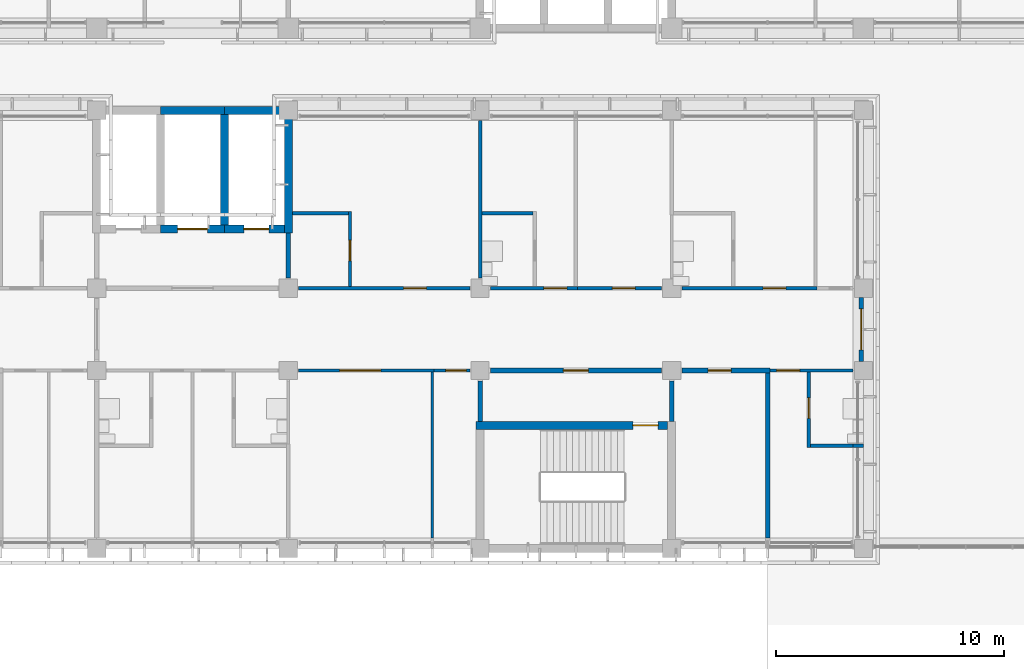
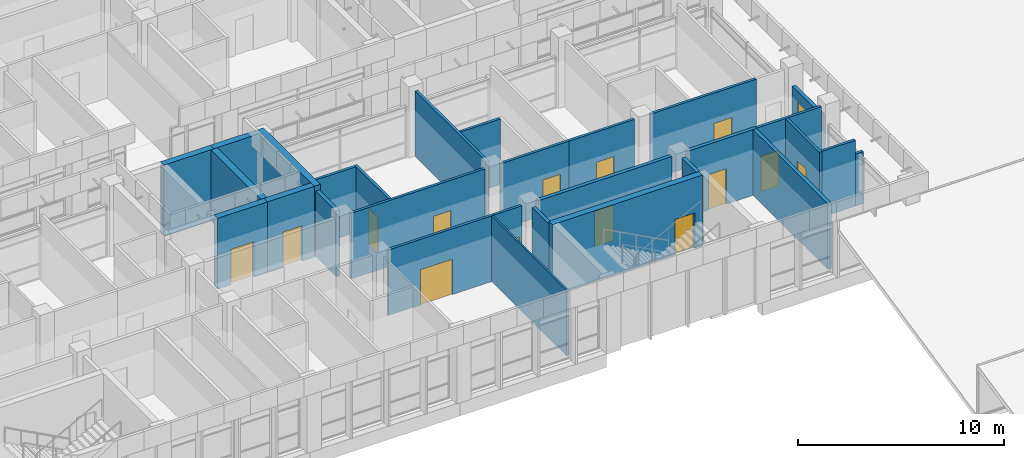
# One storey, part 82 of 137: 29 walls, 15 doors, 15 openings.
"""IFC4 building model written with IfcOpenShell, lengths in metres."""

from ifc_helpers import new_model, si_unit, direction, frame, frame_2d, origin, place, context, subcontext, project, spatial, rectangle, extrude, material, layer, layer_set, type_object, element, fill, save


model = new_model("IFC4")

# Units and contexts
model_context = context("Model", 3, precision=1e-05, world=origin(), true_north=direction((0.0, 1.0)))
body_context = subcontext(model_context, "Body", "Model", "MODEL_VIEW")
ifc_project = project(units=[si_unit("LENGTHUNIT", "METRE"), si_unit("AREAUNIT", "SQUARE_METRE"), si_unit("VOLUMEUNIT", "CUBIC_METRE"), si_unit("PLANEANGLEUNIT", "RADIAN"), si_unit("MASSUNIT", "GRAM", prefix="KILO")], contexts=[model_context])

# Site, building, storey
site_placement = place(None, origin())
site = spatial("IfcSite", under=ifc_project, at=site_placement, CompositionType="ELEMENT")
building_placement = place(site_placement, origin())
building = spatial("IfcBuilding", under=site, at=building_placement, Name="Bougainvillea Quay General Hospital", CompositionType="ELEMENT")
storey_placement = place(building_placement, frame((0.0, 0.0, 16.800048828125)))
storey = spatial("IfcBuildingStorey", under=building, at=storey_placement, Name="L03", CompositionType="ELEMENT", Elevation=16.800048828125)

# Wall, opening, door
ifc_material_1 = material(Name="Insulated aluminium panel cladding, anodised silver", Category="aluminium")
ifc_layer_1 = layer(ifc_material_1, 0.199951171875)
ifc_layer_set_1 = layer_set([ifc_layer_1], Name="Insulated aluminium panel cladding, anodised silver")
wall_type_1 = type_object("IfcWallType", Name="Entrance portal wall 200", PredefinedType="STANDARD", material=ifc_layer_set_1)
wall_1_placement = place(storey_placement, frame((167.89990234375, 125.800048828125, 0.0), z_axis=(0.0, 0.0, 1.0), x_axis=(0.0, 1.0, 0.0)))
wall_1 = element("IfcWall", 1, at=wall_1_placement, inside=storey, type_object=wall_type_1, Name="External wall cw/V5B/L03/e15/portal1/00a", PredefinedType="STANDARD", context=body_context, shape_type="SweptSolid", body=[
    extrude(rectangle(XDim=2.800048828125, YDim=0.199951171875, at=frame_2d((1.39990234375, 0.0))), origin(), (0.0, 0.0, 1.0), 3.050048828125),
])
opening_1_placement = place(wall_1_placement, frame((0.5, 0.0, 0.0)))
opening_1 = element("IfcOpeningElement", 2, at=opening_1_placement, cuts=wall_1, Name="Opening L03.236", PredefinedType="OPENING", context=body_context, shape_type="SweptSolid", body=[
    extrude(rectangle(XDim=1.800048828125, YDim=2.39990234375, at=frame_2d((0.89990234375, 1.199951171875))), frame((0.0, 0.10986328125, 0.0), z_axis=(0.0, -1.0, 0.0), x_axis=(1.0, 0.0, 0.0)), (0.0, 0.0, 1.0), 0.219970703125),
])
ifc_material_2 = material(Name="Aluminium and glass door set", Category="aluminium")
door_type_1 = type_object("IfcDoorType", Name="Terrace door 1800x2400", OperationType="DOUBLE_DOOR_SINGLE_SWING", PredefinedType="DOOR", material=ifc_material_2)
door_1_placement = place(opening_1_placement, frame((1.800048828125, 0.0, 0.0), z_axis=(0.0, 0.0, 1.0), x_axis=(-1.0, 0.0, 0.0)))
door_1 = element("IfcDoor", 3, at=door_1_placement, inside=storey, type_object=door_type_1, Name="Roof garden door", OperationType="SINGLE_SWING_LEFT", OverallHeight=2.39990234375, OverallWidth=1.800048828125, PredefinedType="DOOR", context=body_context, shape_type="SweptSolid", body=[
    extrude(rectangle(XDim=1.800048828125, YDim=2.39990234375, at=frame_2d((0.89990234375, 1.199951171875))), frame((0.0, 0.02490234375, 0.0), z_axis=(0.0, -1.0, 0.0), x_axis=(1.0, 0.0, 0.0)), (0.0, 0.0, 1.0), 0.050048828125),
])
fill(opening_1, door_1)

# Walls
ifc_material_3 = material(Name="Gypsum board partition on steel studs", Category="steel")
ifc_layer_2 = layer(ifc_material_3, 0.10009765625)
ifc_layer_set_2 = layer_set([ifc_layer_2], Name="Gypsum board partition on steel studs")
wall_type_2 = type_object("IfcWallType", Name="Partition 100 Gypsum board partition", PredefinedType="PARTITIONING", material=ifc_layer_set_2)
wall_2_placement = place(storey_placement, frame((149.10009765625, 118.050048828125, 0.0), z_axis=(0.0, 0.0, 1.0), x_axis=(0.0, 1.0, 0.0)))
element("IfcWall", 4, at=wall_2_placement, inside=storey, type_object=wall_type_2, Name="Partition 100 mm", PredefinedType="PARTITIONING", context=body_context, shape_type="SweptSolid", body=[
    extrude(rectangle(XDim=7.27490234375, YDim=0.10009765625, at=frame_2d((3.637451171875, 0.0))), origin(), (0.0, 0.0, 1.0), 3.89990234375),
])
ifc_material_4 = material(Name="Gypsum board partition on steel studs, insulated", Category="steel")
ifc_layer_3 = layer(ifc_material_4, 0.14990234375)
ifc_layer_set_3 = layer_set([ifc_layer_3], Name="Gypsum board partition on steel studs, insulated")
wall_type_3 = type_object("IfcWallType", Name="Partition 150 Gypsum board partition", PredefinedType="PARTITIONING", material=ifc_layer_set_3)
wall_3_placement = place(storey_placement, frame((151.199951171875, 129.449951171875, 0.0), z_axis=(0.0, 0.0, 1.0), x_axis=(0.0, 1.0, 0.0)))
element("IfcWall", 5, at=wall_3_placement, inside=storey, type_object=wall_type_3, Name="Partition 150 mm", PredefinedType="PARTITIONING", context=body_context, shape_type="SweptSolid", body=[
    extrude(rectangle(XDim=6.900146484375, YDim=0.14990234375, at=frame_2d((3.4501953125, 0.0))), origin(), (0.0, 0.0, 1.0), 3.89990234375),
])

# Wall, opening, door
wall_4_placement = place(storey_placement, frame((145.5, 129.074951171875, 0.0), z_axis=(0.0, 0.0, 1.0), x_axis=(0.0, 1.0, 0.0)))
wall_4 = element("IfcWall", 6, at=wall_4_placement, inside=storey, type_object=wall_type_3, Name="Partition 150 mm", PredefinedType="PARTITIONING", context=body_context, shape_type="SweptSolid", body=[
    extrude(rectangle(XDim=3.300048828125, YDim=0.14990234375, at=frame_2d((1.64990234375, 0.0))), origin(), (0.0, 0.0, 1.0), 3.89990234375),
])
opening_2_placement = place(wall_4_placement, frame((1.125, 0.0, 0.0)))
opening_2 = element("IfcOpeningElement", 7, at=opening_2_placement, cuts=wall_4, Name="Opening L03.122", PredefinedType="OPENING", context=body_context, shape_type="SweptSolid", body=[
    extrude(rectangle(XDim=0.89990234375, YDim=2.10009765625, at=frame_2d((0.449951171875, 1.050048828125))), frame((0.0, 0.0849609375, 0.0), z_axis=(0.0, -1.0, 0.0), x_axis=(1.0, 0.0, 0.0)), (0.0, 0.0, 1.0), 0.169921875),
])
ifc_material_5 = material(Name="Solid-core timber door leaf in steel frame", Category="steel")
door_type_2 = type_object("IfcDoorType", Name="Single leaf door 900x2100", OperationType="NOTDEFINED", PredefinedType="DOOR", material=ifc_material_5)
door_2_placement = place(opening_2_placement, origin())
door_2 = element("IfcDoor", 8, at=door_2_placement, inside=storey, type_object=door_type_2, Name="DT07 L03.122", OperationType="SINGLE_SWING_LEFT", OverallHeight=2.10009765625, OverallWidth=0.89990234375, PredefinedType="DOOR", context=body_context, shape_type="SweptSolid", body=[
    extrude(rectangle(XDim=0.89990234375, YDim=2.10009765625, at=frame_2d((0.449951171875, 1.050048828125))), frame((0.0, 0.02490234375, 0.0), z_axis=(0.0, -1.0, 0.0), x_axis=(1.0, 0.0, 0.0)), (0.0, 0.0, 1.0), 0.050048828125),
])
fill(opening_2, door_2)

wall_5_placement = place(storey_placement, frame((165.60009765625, 122.02490234375, 0.0), z_axis=(0.0, 0.0, 1.0), x_axis=(0.0, 1.0, 0.0)))
wall_5 = element("IfcWall", 9, at=wall_5_placement, inside=storey, type_object=wall_type_3, Name="Partition 150 mm", PredefinedType="PARTITIONING", context=body_context, shape_type="SweptSolid", body=[
    extrude(rectangle(XDim=3.300048828125, YDim=0.14990234375, at=frame_2d((1.64990234375, 0.0))), origin(), (0.0, 0.0, 1.0), 3.89990234375),
])
opening_3_placement = place(wall_5_placement, frame((1.27490234375, 0.0, 0.0)))
opening_3 = element("IfcOpeningElement", 10, at=opening_3_placement, cuts=wall_5, Name="Opening L03.130", PredefinedType="OPENING", context=body_context, shape_type="SweptSolid", body=[
    extrude(rectangle(XDim=0.89990234375, YDim=2.10009765625, at=frame_2d((0.449951171875, 1.050048828125))), frame((0.0, 0.0849609375, 0.0), z_axis=(0.0, -1.0, 0.0), x_axis=(1.0, 0.0, 0.0)), (0.0, 0.0, 1.0), 0.169921875),
])
door_3_placement = place(opening_3_placement, frame((0.89990234375, 0.0, 0.0), z_axis=(0.0, 0.0, 1.0), x_axis=(-1.0, 0.0, 0.0)))
door_3 = element("IfcDoor", 11, at=door_3_placement, inside=storey, type_object=door_type_2, Name="DT07 L03.130", OperationType="SINGLE_SWING_LEFT", OverallHeight=2.10009765625, OverallWidth=0.89990234375, PredefinedType="DOOR", context=body_context, shape_type="SweptSolid", body=[
    extrude(rectangle(XDim=0.89990234375, YDim=2.10009765625, at=frame_2d((0.449951171875, 1.050048828125))), frame((0.0, 0.02490234375, 0.0), z_axis=(0.0, -1.0, 0.0), x_axis=(1.0, 0.0, 0.0)), (0.0, 0.0, 1.0), 0.050048828125),
])
fill(opening_3, door_3)

# Walls
wall_6_placement = place(storey_placement, frame((142.97509765625, 132.300048828125, 0.0), z_axis=(0.0, 0.0, 1.0), x_axis=(1.0, 0.0, 0.0)))
element("IfcWall", 12, at=wall_6_placement, inside=storey, type_object=wall_type_3, Name="Partition 150 mm", PredefinedType="PARTITIONING", context=body_context, shape_type="SweptSolid", body=[
    extrude(rectangle(XDim=2.449951171875, YDim=0.14990234375, at=frame_2d((1.22509765625, 0.0))), origin(), (0.0, 0.0, 1.0), 3.89990234375),
])
wall_7_placement = place(storey_placement, frame((151.27490234375, 132.300048828125, 0.0), z_axis=(0.0, 0.0, 1.0), x_axis=(1.0, 0.0, 0.0)))
element("IfcWall", 13, at=wall_7_placement, inside=storey, type_object=wall_type_3, Name="Partition 150 mm", PredefinedType="PARTITIONING", context=body_context, shape_type="SweptSolid", body=[
    extrude(rectangle(XDim=2.25, YDim=0.14990234375, at=frame_2d((1.125, 0.0))), origin(), (0.0, 0.0, 1.0), 3.89990234375),
])
wall_8_placement = place(storey_placement, frame((165.675048828125, 122.10009765625, 0.0), z_axis=(0.0, 0.0, 1.0), x_axis=(1.0, 0.0, 0.0)))
element("IfcWall", 14, at=wall_8_placement, inside=storey, type_object=wall_type_3, Name="Partition 150 mm", PredefinedType="PARTITIONING", context=body_context, shape_type="SweptSolid", body=[
    extrude(rectangle(XDim=1.875, YDim=0.14990234375, at=frame_2d((0.9375, 0.0))), origin(), (0.0, 0.0, 1.0), 3.89990234375),
])
wall_9_placement = place(storey_placement, frame((167.550048828125, 122.10009765625, 0.0), z_axis=(0.0, 0.0, 1.0), x_axis=(1.0, 0.0, 0.0)))
element("IfcWall", 15, at=wall_9_placement, inside=storey, type_object=wall_type_3, Name="Partition 150 mm", PredefinedType="PARTITIONING", context=body_context, shape_type="SweptSolid", body=[
    extrude(rectangle(XDim=0.449951171875, YDim=0.14990234375, at=frame_2d((0.22509765625, 0.0))), origin(), (0.0, 0.0, 1.0), 3.079833984375),
])

# Wall, opening, door
ifc_layer_4 = layer(ifc_material_4, 0.14990234375)
ifc_layer_set_4 = layer_set([ifc_layer_4], Name="Gypsum board partition on steel studs, insulated")
wall_type_4 = type_object("IfcWallType", Name="Partition 150 Gypsum board partition EI 30", PredefinedType="PARTITIONING", material=ifc_layer_set_4)
wall_10_placement = place(storey_placement, frame((149.175048828125, 125.39990234375, 0.0), z_axis=(0.0, 0.0, 1.0), x_axis=(-1.0, 0.0, 0.0)))
wall_10 = element("IfcWall", 16, at=wall_10_placement, inside=storey, type_object=wall_type_4, Name="Partition 150 mm EI 30", PredefinedType="PARTITIONING", context=body_context, shape_type="SweptSolid", body=[
    extrude(rectangle(XDim=5.925048828125, YDim=0.14990234375, at=frame_2d((2.96240234375, 0.0))), origin(), (0.0, 0.0, 1.0), 3.89990234375),
])
opening_4_placement = place(wall_10_placement, frame((2.324951171875, 0.0, 0.0)))
opening_4 = element("IfcOpeningElement", 17, at=opening_4_placement, cuts=wall_10, Name="Opening L03.119", PredefinedType="OPENING", context=body_context, shape_type="SweptSolid", body=[
    extrude(rectangle(XDim=1.800048828125, YDim=2.10009765625, at=frame_2d((0.89990234375, 1.050048828125))), frame((0.0, 0.0849609375, 0.0), z_axis=(0.0, -1.0, 0.0), x_axis=(1.0, 0.0, 0.0)), (0.0, 0.0, 1.0), 0.169921875),
])
ifc_material_6 = material(Name="Solid-core timber door leaves in steel frame", Category="steel")
door_type_3 = type_object("IfcDoorType", Name="Double leaf door 1800x2100 FD30S", OperationType="DOUBLE_DOOR_SINGLE_SWING", PredefinedType="DOOR", material=ifc_material_6)
door_4_placement = place(opening_4_placement, origin())
door_4 = element("IfcDoor", 18, at=door_4_placement, inside=storey, type_object=door_type_3, Name="DT17 L03.119", OperationType="DOUBLE_DOOR_SINGLE_SWING", OverallHeight=2.10009765625, OverallWidth=1.800048828125, PredefinedType="DOOR", context=body_context, shape_type="SweptSolid", body=[
    extrude(rectangle(XDim=1.800048828125, YDim=2.10009765625, at=frame_2d((0.89990234375, 1.050048828125))), frame((0.0, 0.02490234375, 0.0), z_axis=(0.0, -1.0, 0.0), x_axis=(1.0, 0.0, 0.0)), (0.0, 0.0, 1.0), 0.050048828125),
])
fill(opening_4, door_4)

wall_11_placement = place(storey_placement, frame((155.47509765625, 129.0, 0.0), z_axis=(0.0, 0.0, 1.0), x_axis=(-1.0, 0.0, 0.0)))
wall_11 = element("IfcWall", 19, at=wall_11_placement, inside=storey, type_object=wall_type_4, Name="Partition 150 mm EI 30", PredefinedType="PARTITIONING", context=body_context, shape_type="SweptSolid", body=[
    extrude(rectangle(XDim=3.8251953125, YDim=0.14990234375, at=frame_2d((1.91259765625, 0.0))), origin(), (0.0, 0.0, 1.0), 3.89990234375),
])
opening_5_placement = place(wall_11_placement, frame((0.47509765625, 0.0, 0.0)))
opening_5 = element("IfcOpeningElement", 20, at=opening_5_placement, cuts=wall_11, Name="Opening L03.123", PredefinedType="OPENING", context=body_context, shape_type="SweptSolid", body=[
    extrude(rectangle(XDim=1.0, YDim=2.10009765625, at=frame_2d((0.5, 1.050048828125))), frame((0.0, 0.0849609375, 0.0), z_axis=(0.0, -1.0, 0.0), x_axis=(1.0, 0.0, 0.0)), (0.0, 0.0, 1.0), 0.169921875),
])
door_type_4 = type_object("IfcDoorType", Name="Single leaf door 1000x2100 FD30S", OperationType="NOTDEFINED", PredefinedType="DOOR", material=ifc_material_5)
door_5_placement = place(opening_5_placement, frame((1.0, 0.0, 0.0), z_axis=(0.0, 0.0, 1.0), x_axis=(-1.0, 0.0, 0.0)))
door_5 = element("IfcDoor", 21, at=door_5_placement, inside=storey, type_object=door_type_4, Name="DT15 L03.123", OperationType="SINGLE_SWING_RIGHT", OverallHeight=2.10009765625, OverallWidth=1.0, PredefinedType="DOOR", context=body_context, shape_type="SweptSolid", body=[
    extrude(rectangle(XDim=1.0, YDim=2.10009765625, at=frame_2d((0.5, 1.050048828125))), frame((0.0, 0.02490234375, 0.0), z_axis=(0.0, -1.0, 0.0), x_axis=(1.0, 0.0, 0.0)), (0.0, 0.0, 1.0), 0.050048828125),
])
fill(opening_5, door_5)

wall_12_placement = place(storey_placement, frame((150.75, 129.0, 0.0), z_axis=(0.0, 0.0, 1.0), x_axis=(-1.0, 0.0, 0.0)))
wall_12 = element("IfcWall", 22, at=wall_12_placement, inside=storey, type_object=wall_type_4, Name="Partition 150 mm EI 30", PredefinedType="PARTITIONING", context=body_context, shape_type="SweptSolid", body=[
    extrude(rectangle(XDim=7.5, YDim=0.14990234375, at=frame_2d((3.75, 0.0))), origin(), (0.0, 0.0, 1.0), 3.89990234375),
])
opening_6_placement = place(wall_12_placement, frame((1.89990234375, 0.0, 0.0)))
opening_6 = element("IfcOpeningElement", 23, at=opening_6_placement, cuts=wall_12, Name="Opening L03.121", PredefinedType="OPENING", context=body_context, shape_type="SweptSolid", body=[
    extrude(rectangle(XDim=1.0, YDim=2.10009765625, at=frame_2d((0.5, 1.050048828125))), frame((0.0, 0.0849609375, 0.0), z_axis=(0.0, -1.0, 0.0), x_axis=(1.0, 0.0, 0.0)), (0.0, 0.0, 1.0), 0.169921875),
])
door_6_placement = place(opening_6_placement, frame((1.0, 0.0, 0.0), z_axis=(0.0, 0.0, 1.0), x_axis=(-1.0, 0.0, 0.0)))
door_6 = element("IfcDoor", 24, at=door_6_placement, inside=storey, type_object=door_type_4, Name="DT15 L03.121", OperationType="SINGLE_SWING_RIGHT", OverallHeight=2.10009765625, OverallWidth=1.0, PredefinedType="DOOR", context=body_context, shape_type="SweptSolid", body=[
    extrude(rectangle(XDim=1.0, YDim=2.10009765625, at=frame_2d((0.5, 1.050048828125))), frame((0.0, 0.02490234375, 0.0), z_axis=(0.0, -1.0, 0.0), x_axis=(1.0, 0.0, 0.0)), (0.0, 0.0, 1.0), 0.050048828125),
])
fill(opening_6, door_6)

wall_13_placement = place(storey_placement, frame((160.050048828125, 129.0, 0.0), z_axis=(0.0, 0.0, 1.0), x_axis=(1.0, 0.0, 0.0)))
wall_13 = element("IfcWall", 25, at=wall_13_placement, inside=storey, type_object=wall_type_4, Name="Partition 150 mm EI 30", PredefinedType="PARTITIONING", context=body_context, shape_type="SweptSolid", body=[
    extrude(rectangle(XDim=5.925048828125, YDim=0.14990234375, at=frame_2d((2.96240234375, 0.0))), origin(), (0.0, 0.0, 1.0), 3.89990234375),
])
opening_7_placement = place(wall_13_placement, frame((3.550048828125, 0.0, 0.0)))
opening_7 = element("IfcOpeningElement", 26, at=opening_7_placement, cuts=wall_13, Name="Opening L03.126", PredefinedType="OPENING", context=body_context, shape_type="SweptSolid", body=[
    extrude(rectangle(XDim=1.0, YDim=2.10009765625, at=frame_2d((0.5, 1.050048828125))), frame((0.0, 0.0849609375, 0.0), z_axis=(0.0, -1.0, 0.0), x_axis=(1.0, 0.0, 0.0)), (0.0, 0.0, 1.0), 0.169921875),
])
door_7_placement = place(opening_7_placement, origin())
door_7 = element("IfcDoor", 27, at=door_7_placement, inside=storey, type_object=door_type_4, Name="DT15 L03.126", OperationType="SINGLE_SWING_RIGHT", OverallHeight=2.10009765625, OverallWidth=1.0, PredefinedType="DOOR", context=body_context, shape_type="SweptSolid", body=[
    extrude(rectangle(XDim=1.0, YDim=2.10009765625, at=frame_2d((0.5, 1.050048828125))), frame((0.0, 0.02490234375, 0.0), z_axis=(0.0, -1.0, 0.0), x_axis=(1.0, 0.0, 0.0)), (0.0, 0.0, 1.0), 0.050048828125),
])
fill(opening_7, door_7)

wall_14_placement = place(storey_placement, frame((163.89990234375, 125.39990234375, 0.0), z_axis=(0.0, 0.0, 1.0), x_axis=(1.0, 0.0, 0.0)))
wall_14 = element("IfcWall", 28, at=wall_14_placement, inside=storey, type_object=wall_type_4, Name="Partition 150 mm EI 30", PredefinedType="PARTITIONING", context=body_context, shape_type="SweptSolid", body=[
    extrude(rectangle(XDim=3.650146484375, YDim=0.14990234375, at=frame_2d((1.8251953125, 0.0))), origin(), (0.0, 0.0, 1.0), 3.89990234375),
])
opening_8_placement = place(wall_14_placement, frame((0.300048828125, 0.0, 0.0)))
opening_8 = element("IfcOpeningElement", 29, at=opening_8_placement, cuts=wall_14, Name="Opening L03.129", PredefinedType="OPENING", context=body_context, shape_type="SweptSolid", body=[
    extrude(rectangle(XDim=1.0, YDim=2.10009765625, at=frame_2d((0.5, 1.050048828125))), frame((0.0, 0.0849609375, 0.0), z_axis=(0.0, -1.0, 0.0), x_axis=(1.0, 0.0, 0.0)), (0.0, 0.0, 1.0), 0.169921875),
])
door_8_placement = place(opening_8_placement, frame((1.0, 0.0, 0.0), z_axis=(0.0, 0.0, 1.0), x_axis=(-1.0, 0.0, 0.0)))
door_8 = element("IfcDoor", 30, at=door_8_placement, inside=storey, type_object=door_type_4, Name="DT15 L03.129", OperationType="SINGLE_SWING_RIGHT", OverallHeight=2.10009765625, OverallWidth=1.0, PredefinedType="DOOR", context=body_context, shape_type="SweptSolid", body=[
    extrude(rectangle(XDim=1.0, YDim=2.10009765625, at=frame_2d((0.5, 1.050048828125))), frame((0.0, 0.02490234375, 0.0), z_axis=(0.0, -1.0, 0.0), x_axis=(1.0, 0.0, 0.0)), (0.0, 0.0, 1.0), 0.050048828125),
])
fill(opening_8, door_8)

ifc_layer_5 = layer(ifc_material_4, 0.14990234375)
ifc_layer_set_5 = layer_set([ifc_layer_5], Name="Gypsum board partition on steel studs, insulated")
wall_type_5 = type_object("IfcWallType", Name="Partition 150 Gypsum board partition EI 60", PredefinedType="PARTITIONING", material=ifc_layer_set_5)
wall_15_placement = place(storey_placement, frame((155.47509765625, 129.0, 0.0), z_axis=(0.0, 0.0, 1.0), x_axis=(1.0, 0.0, 0.0)))
wall_15 = element("IfcWall", 31, at=wall_15_placement, inside=storey, type_object=wall_type_5, Name="Partition 150 mm EI 60", PredefinedType="PARTITIONING", context=body_context, shape_type="SweptSolid", body=[
    extrude(rectangle(XDim=3.6748046875, YDim=0.14990234375, at=frame_2d((1.83740234375, 0.0))), origin(), (0.0, 0.0, 1.0), 3.89990234375),
])
opening_9_placement = place(wall_15_placement, frame((1.52490234375, 0.0, 0.0)))
opening_9 = element("IfcOpeningElement", 32, at=opening_9_placement, cuts=wall_15, Name="Opening L03.125", PredefinedType="OPENING", context=body_context, shape_type="SweptSolid", body=[
    extrude(rectangle(XDim=1.0, YDim=2.10009765625, at=frame_2d((0.5, 1.050048828125))), frame((0.0, 0.0849609375, 0.0), z_axis=(0.0, -1.0, 0.0), x_axis=(1.0, 0.0, 0.0)), (0.0, 0.0, 1.0), 0.169921875),
])
door_type_5 = type_object("IfcDoorType", Name="Single leaf door 1000x2100 FD60", OperationType="NOTDEFINED", PredefinedType="DOOR", material=ifc_material_5)
door_9_placement = place(opening_9_placement, origin())
door_9 = element("IfcDoor", 33, at=door_9_placement, inside=storey, type_object=door_type_5, Name="DT14 L03.125", OperationType="SINGLE_SWING_RIGHT", OverallHeight=2.10009765625, OverallWidth=1.0, PredefinedType="DOOR", context=body_context, shape_type="SweptSolid", body=[
    extrude(rectangle(XDim=1.0, YDim=2.10009765625, at=frame_2d((0.5, 1.050048828125))), frame((0.0, 0.02490234375, 0.0), z_axis=(0.0, -1.0, 0.0), x_axis=(1.0, 0.0, 0.0)), (0.0, 0.0, 1.0), 0.050048828125),
])
fill(opening_9, door_9)

wall_16_placement = place(storey_placement, frame((149.175048828125, 125.39990234375, 0.0), z_axis=(0.0, 0.0, 1.0), x_axis=(1.0, 0.0, 0.0)))
wall_16 = element("IfcWall", 34, at=wall_16_placement, inside=storey, type_object=wall_type_5, Name="Partition 150 mm EI 60", PredefinedType="PARTITIONING", context=body_context, shape_type="SweptSolid", body=[
    extrude(rectangle(XDim=1.574951171875, YDim=0.14990234375, at=frame_2d((0.78759765625, 0.0))), origin(), (0.0, 0.0, 1.0), 3.89990234375),
])
opening_10_placement = place(wall_16_placement, frame((0.52490234375, 0.0, 0.0)))
opening_10 = element("IfcOpeningElement", 35, at=opening_10_placement, cuts=wall_16, Name="Opening L03.120", PredefinedType="OPENING", context=body_context, shape_type="SweptSolid", body=[
    extrude(rectangle(XDim=0.89990234375, YDim=2.10009765625, at=frame_2d((0.449951171875, 1.050048828125))), frame((0.0, 0.0849609375, 0.0), z_axis=(0.0, -1.0, 0.0), x_axis=(1.0, 0.0, 0.0)), (0.0, 0.0, 1.0), 0.169921875),
])
door_type_6 = type_object("IfcDoorType", Name="Single leaf door 900x2100 FD60", OperationType="NOTDEFINED", PredefinedType="DOOR", material=ifc_material_5)
door_10_placement = place(opening_10_placement, frame((0.89990234375, 0.0, 0.0), z_axis=(0.0, 0.0, 1.0), x_axis=(-1.0, 0.0, 0.0)))
door_10 = element("IfcDoor", 36, at=door_10_placement, inside=storey, type_object=door_type_6, Name="DT18 L03.120", OperationType="SINGLE_SWING_LEFT", OverallHeight=2.10009765625, OverallWidth=0.89990234375, PredefinedType="DOOR", context=body_context, shape_type="SweptSolid", body=[
    extrude(rectangle(XDim=0.89990234375, YDim=2.10009765625, at=frame_2d((0.449951171875, 1.050048828125))), frame((0.0, 0.02490234375, 0.0), z_axis=(0.0, -1.0, 0.0), x_axis=(1.0, 0.0, 0.0)), (0.0, 0.0, 1.0), 0.050048828125),
])
fill(opening_10, door_10)

ifc_material_7 = material(Name="Fire-rated autoclaved aerated block wall, plastered")
ifc_layer_6 = layer(ifc_material_7, 0.199951171875)
ifc_layer_set_6 = layer_set([ifc_layer_6], Name="Fire-rated autoclaved aerated block wall, plastered")
wall_type_6 = type_object("IfcWallType", Name="Partition 200 Fire-rated autoclaved aerated block wall EI 120", PredefinedType="SOLIDWALL", material=ifc_layer_set_6)
wall_17_placement = place(storey_placement, frame((151.64990234375, 125.39990234375, 0.0), z_axis=(0.0, 0.0, 1.0), x_axis=(1.0, 0.0, 0.0)))
wall_17 = element("IfcWall", 37, at=wall_17_placement, inside=storey, type_object=wall_type_6, Name="Partition 200 mm EI 120", PredefinedType="SOLIDWALL", context=body_context, shape_type="SweptSolid", body=[
    extrude(rectangle(XDim=7.5, YDim=0.199951171875, at=frame_2d((3.75, 0.0))), origin(), (0.0, 0.0, 1.0), 3.89990234375),
])
opening_11_placement = place(wall_17_placement, frame((3.199951171875, 0.0, 0.0)))
opening_11 = element("IfcOpeningElement", 38, at=opening_11_placement, cuts=wall_17, Name="Opening L03.212", PredefinedType="OPENING", context=body_context, shape_type="SweptSolid", body=[
    extrude(rectangle(XDim=1.10009765625, YDim=2.10009765625, at=frame_2d((0.550048828125, 1.050048828125))), frame((0.0, 0.10986328125, 0.0), z_axis=(0.0, -1.0, 0.0), x_axis=(1.0, 0.0, 0.0)), (0.0, 0.0, 1.0), 0.219970703125),
])
ifc_material_8 = material(Name="Steel fire door leaf in steel frame", Category="steel")
door_type_7 = type_object("IfcDoorType", Name="Steel single leaf door 1100x2100 FD60", OperationType="NOTDEFINED", PredefinedType="DOOR", material=ifc_material_8)
door_11_placement = place(opening_11_placement, frame((1.10009765625, 0.0, 0.0), z_axis=(0.0, 0.0, 1.0), x_axis=(-1.0, 0.0, 0.0)))
door_11 = element("IfcDoor", 39, at=door_11_placement, inside=storey, type_object=door_type_7, Name="DT04 L03.212", OperationType="SINGLE_SWING_LEFT", OverallHeight=2.10009765625, OverallWidth=1.10009765625, PredefinedType="DOOR", context=body_context, shape_type="SweptSolid", body=[
    extrude(rectangle(XDim=1.10009765625, YDim=2.10009765625, at=frame_2d((0.550048828125, 1.050048828125))), frame((0.0, 0.02490234375, 0.0), z_axis=(0.0, -1.0, 0.0), x_axis=(1.0, 0.0, 0.0)), (0.0, 0.0, 1.0), 0.050048828125),
])
fill(opening_11, door_11)

wall_18_placement = place(storey_placement, frame((160.050048828125, 125.39990234375, 0.0), z_axis=(0.0, 0.0, 1.0), x_axis=(1.0, 0.0, 0.0)))
wall_18 = element("IfcWall", 40, at=wall_18_placement, inside=storey, type_object=wall_type_6, Name="Partition 200 mm EI 120", PredefinedType="SOLIDWALL", context=body_context, shape_type="SweptSolid", body=[
    extrude(rectangle(XDim=3.849853515625, YDim=0.199951171875, at=frame_2d((1.9248046875, 0.0))), origin(), (0.0, 0.0, 1.0), 3.89990234375),
])
opening_12_placement = place(wall_18_placement, frame((1.14990234375, 0.0, 0.0)))
opening_12 = element("IfcOpeningElement", 41, at=opening_12_placement, cuts=wall_18, Name="Opening L03.135", PredefinedType="OPENING", context=body_context, shape_type="SweptSolid", body=[
    extrude(rectangle(XDim=1.0, YDim=2.10009765625, at=frame_2d((0.5, 1.050048828125))), frame((0.0, 0.10986328125, 0.0), z_axis=(0.0, -1.0, 0.0), x_axis=(1.0, 0.0, 0.0)), (0.0, 0.0, 1.0), 0.219970703125),
])
door_type_8 = type_object("IfcDoorType", Name="Steel single leaf door 1000x2100 FD90", OperationType="NOTDEFINED", PredefinedType="DOOR", material=ifc_material_8)
door_12_placement = place(opening_12_placement, frame((1.0, 0.0, 0.0), z_axis=(0.0, 0.0, 1.0), x_axis=(-1.0, 0.0, 0.0)))
door_12 = element("IfcDoor", 42, at=door_12_placement, inside=storey, type_object=door_type_8, Name="DT11 L03.135", OperationType="SINGLE_SWING_RIGHT", OverallHeight=2.10009765625, OverallWidth=1.0, PredefinedType="DOOR", context=body_context, shape_type="SweptSolid", body=[
    extrude(rectangle(XDim=1.0, YDim=2.10009765625, at=frame_2d((0.5, 1.050048828125))), frame((0.0, 0.02490234375, 0.0), z_axis=(0.0, -1.0, 0.0), x_axis=(1.0, 0.0, 0.0)), (0.0, 0.0, 1.0), 0.050048828125),
])
fill(opening_12, door_12)

# Walls
wall_19_placement = place(storey_placement, frame((159.60009765625, 123.175048828125, 0.0), z_axis=(0.0, 0.0, 1.0), x_axis=(0.0, 1.0, 0.0)))
element("IfcWall", 43, at=wall_19_placement, inside=storey, type_object=wall_type_6, Name="Partition 200 mm EI 120", PredefinedType="SOLIDWALL", context=body_context, shape_type="SweptSolid", body=[
    extrude(rectangle(XDim=1.77490234375, YDim=0.199951171875, at=frame_2d((0.887451171875, 0.0))), origin(), (0.0, 0.0, 1.0), 3.89990234375),
])
wall_20_placement = place(storey_placement, frame((163.800048828125, 118.050048828125, 0.0), z_axis=(0.0, 0.0, 1.0), x_axis=(0.0, 1.0, 0.0)))
element("IfcWall", 44, at=wall_20_placement, inside=storey, type_object=wall_type_6, Name="Partition 200 mm EI 120", PredefinedType="SOLIDWALL", context=body_context, shape_type="SweptSolid", body=[
    extrude(rectangle(XDim=7.25, YDim=0.199951171875, at=frame_2d((3.625, 0.0))), origin(), (0.0, 0.0, 1.0), 3.89990234375),
])
wall_21_placement = place(storey_placement, frame((142.800048828125, 129.449951171875, 0.0), z_axis=(0.0, 0.0, 1.0), x_axis=(0.0, 1.0, 0.0)))
element("IfcWall", 45, at=wall_21_placement, inside=storey, type_object=wall_type_6, Name="Partition 200 mm EI 120", PredefinedType="SOLIDWALL", context=body_context, shape_type="SweptSolid", body=[
    extrude(rectangle(XDim=1.97509765625, YDim=0.199951171875, at=frame_2d((0.987548828125, 0.0))), origin(), (0.0, 0.0, 1.0), 3.89990234375),
])
wall_22_placement = place(storey_placement, frame((151.199951171875, 123.175048828125, 0.0), z_axis=(0.0, 0.0, 1.0), x_axis=(0.0, 1.0, 0.0)))
element("IfcWall", 46, at=wall_22_placement, inside=storey, type_object=wall_type_6, Name="Partition 200 mm EI 120", PredefinedType="SOLIDWALL", context=body_context, shape_type="SweptSolid", body=[
    extrude(rectangle(XDim=1.77490234375, YDim=0.199951171875, at=frame_2d((0.887451171875, 0.0))), origin(), (0.0, 0.0, 1.0), 3.89990234375),
])

# Wall, opening, door
ifc_material_9 = material(Name="Concrete C40", Category="concrete")
ifc_layer_7 = layer(ifc_material_9, 0.35009765625)
ifc_layer_set_7 = layer_set([ifc_layer_7], Name="Concrete C40")
wall_type_7 = type_object("IfcWallType", Name="RC SHEAR WALL 350 C40", PredefinedType="SHEAR", material=ifc_layer_set_7)
wall_23_placement = place(storey_placement, frame((137.199951171875, 131.60009765625, 0.0), z_axis=(0.0, 0.0, 1.0), x_axis=(1.0, 0.0, 0.0)))
wall_23 = element("IfcWall", 47, at=wall_23_placement, inside=storey, type_object=wall_type_7, Name="Shear wall L03", PredefinedType="SHEAR", context=body_context, shape_type="SweptSolid", body=[
    extrude(rectangle(XDim=2.800048828125, YDim=0.35009765625, at=frame_2d((1.39990234375, 0.0))), origin(), (0.0, 0.0, 1.0), 4.199951171875),
])
opening_13_placement = place(wall_23_placement, frame((0.75, 0.0, 0.0)))
opening_13 = element("IfcOpeningElement", 48, at=opening_13_placement, cuts=wall_23, Name="Opening LD-B2.2-L03", PredefinedType="OPENING", context=body_context, shape_type="SweptSolid", body=[
    extrude(rectangle(XDim=1.300048828125, YDim=2.10009765625, at=frame_2d((0.64990234375, 1.050048828125))), frame((0.0, 0.18505859375, 0.0), z_axis=(0.0, -1.0, 0.0), x_axis=(1.0, 0.0, 0.0)), (0.0, 0.0, 1.0), 0.3701171875),
])
ifc_material_10 = material(Name="Stainless steel centre-opening landing door", Category="steel")
door_type_9 = type_object("IfcDoorType", Name="Lift landing door 1300x2100 E 120", OperationType="DOUBLE_DOOR_SLIDING", PredefinedType="DOOR", material=ifc_material_10)
door_13_placement = place(opening_13_placement, origin())
door_13 = element("IfcDoor", 49, at=door_13_placement, inside=storey, type_object=door_type_9, Name="Lift landing door LB-B2-2 L03", OperationType="DOUBLE_DOOR_SLIDING", OverallHeight=2.10009765625, OverallWidth=1.300048828125, PredefinedType="DOOR", context=body_context, shape_type="SweptSolid", body=[
    extrude(rectangle(XDim=1.300048828125, YDim=2.10009765625, at=frame_2d((0.64990234375, 1.050048828125))), frame((0.0, 0.02490234375, 0.0), z_axis=(0.0, -1.0, 0.0), x_axis=(1.0, 0.0, 0.0)), (0.0, 0.0, 1.0), 0.050048828125),
])
fill(opening_13, door_13)

# Wall
wall_24_placement = place(storey_placement, frame((137.199951171875, 136.800048828125, 0.0), z_axis=(0.0, 0.0, 1.0), x_axis=(1.0, 0.0, 0.0)))
element("IfcWall", 50, at=wall_24_placement, inside=storey, type_object=wall_type_7, Name="Shear wall L03", PredefinedType="SHEAR", context=body_context, shape_type="SweptSolid", body=[
    extrude(rectangle(XDim=2.800048828125, YDim=0.35009765625, at=frame_2d((1.39990234375, 0.0))), origin(), (0.0, 0.0, 1.0), 4.199951171875),
])

# Wall, opening, door
wall_25_placement = place(storey_placement, frame((140.0, 131.60009765625, 0.0), z_axis=(0.0, 0.0, 1.0), x_axis=(1.0, 0.0, 0.0)))
wall_25 = element("IfcWall", 51, at=wall_25_placement, inside=storey, type_object=wall_type_7, Name="Shear wall L03", PredefinedType="SHEAR", context=body_context, shape_type="SweptSolid", body=[
    extrude(rectangle(XDim=2.625, YDim=0.35009765625, at=frame_2d((1.3125, 0.0))), origin(), (0.0, 0.0, 1.0), 4.199951171875),
])
opening_14_placement = place(wall_25_placement, frame((0.85009765625, 0.0, 0.0)))
opening_14 = element("IfcOpeningElement", 52, at=opening_14_placement, cuts=wall_25, Name="Opening LD-B2.3-L03", PredefinedType="OPENING", context=body_context, shape_type="SweptSolid", body=[
    extrude(rectangle(XDim=1.10009765625, YDim=2.10009765625, at=frame_2d((0.550048828125, 1.050048828125))), frame((0.0, 0.18505859375, 0.0), z_axis=(0.0, -1.0, 0.0), x_axis=(1.0, 0.0, 0.0)), (0.0, 0.0, 1.0), 0.3701171875),
])
door_type_10 = type_object("IfcDoorType", Name="Lift landing door 1100x2100 E 120", OperationType="DOUBLE_DOOR_SLIDING", PredefinedType="DOOR", material=ifc_material_10)
door_14_placement = place(opening_14_placement, origin())
door_14 = element("IfcDoor", 53, at=door_14_placement, inside=storey, type_object=door_type_10, Name="Lift landing door LB-B2-3 L03", OperationType="DOUBLE_DOOR_SLIDING", OverallHeight=2.10009765625, OverallWidth=1.10009765625, PredefinedType="DOOR", context=body_context, shape_type="SweptSolid", body=[
    extrude(rectangle(XDim=1.10009765625, YDim=2.10009765625, at=frame_2d((0.550048828125, 1.050048828125))), frame((0.0, 0.02490234375, 0.0), z_axis=(0.0, -1.0, 0.0), x_axis=(1.0, 0.0, 0.0)), (0.0, 0.0, 1.0), 0.050048828125),
])
fill(opening_14, door_14)

# Walls
wall_26_placement = place(storey_placement, frame((140.0, 131.77490234375, 0.0), z_axis=(0.0, 0.0, 1.0), x_axis=(0.0, 1.0, 0.0)))
element("IfcWall", 54, at=wall_26_placement, inside=storey, type_object=wall_type_7, Name="Shear wall L03", PredefinedType="SHEAR", context=body_context, shape_type="SweptSolid", body=[
    extrude(rectangle(XDim=4.85009765625, YDim=0.35009765625, at=frame_2d((2.425048828125, 0.0))), origin(), (0.0, 0.0, 1.0), 4.199951171875),
])
wall_27_placement = place(storey_placement, frame((140.0, 136.800048828125, 0.0), z_axis=(0.0, 0.0, 1.0), x_axis=(1.0, 0.0, 0.0)))
element("IfcWall", 55, at=wall_27_placement, inside=storey, type_object=wall_type_7, Name="Shear wall L03", PredefinedType="SHEAR", context=body_context, shape_type="SweptSolid", body=[
    extrude(rectangle(XDim=2.625, YDim=0.35009765625, at=frame_2d((1.3125, 0.0))), origin(), (0.0, 0.0, 1.0), 4.199951171875),
])
wall_28_placement = place(storey_placement, frame((142.800048828125, 131.425048828125, 0.0), z_axis=(0.0, 0.0, 1.0), x_axis=(0.0, 1.0, 0.0)))
element("IfcWall", 56, at=wall_28_placement, inside=storey, type_object=wall_type_7, Name="Shear wall L03", PredefinedType="SHEAR", context=body_context, shape_type="SweptSolid", body=[
    extrude(rectangle(XDim=5.550048828125, YDim=0.35009765625, at=frame_2d((2.77490234375, 0.0))), origin(), (0.0, 0.0, 1.0), 4.199951171875),
])

# Wall, opening, door
wall_29_placement = place(storey_placement, frame((151.02490234375, 123.0, 0.0), z_axis=(0.0, 0.0, 1.0), x_axis=(1.0, 0.0, 0.0)))
wall_29 = element("IfcWall", 57, at=wall_29_placement, inside=storey, type_object=wall_type_7, Name="Shear wall L03", PredefinedType="SHEAR", context=body_context, shape_type="SweptSolid", body=[
    extrude(rectangle(XDim=8.400146484375, YDim=0.35009765625, at=frame_2d((4.2001953125, 0.0))), origin(), (0.0, 0.0, 1.0), 4.199951171875),
])
opening_15_placement = place(wall_29_placement, frame((6.875, 0.0, 0.0)))
opening_15 = element("IfcOpeningElement", 58, at=opening_15_placement, cuts=wall_29, Name="Opening L03.211", PredefinedType="OPENING", context=body_context, shape_type="SweptSolid", body=[
    extrude(rectangle(XDim=1.10009765625, YDim=2.10009765625, at=frame_2d((0.550048828125, 1.050048828125))), frame((0.0, 0.18505859375, 0.0), z_axis=(0.0, -1.0, 0.0), x_axis=(1.0, 0.0, 0.0)), (0.0, 0.0, 1.0), 0.3701171875),
])
door_15_placement = place(opening_15_placement, frame((1.10009765625, 0.0, 0.0), z_axis=(0.0, 0.0, 1.0), x_axis=(-1.0, 0.0, 0.0)))
door_15 = element("IfcDoor", 59, at=door_15_placement, inside=storey, type_object=door_type_7, Name="DT04 L03.211", OperationType="SINGLE_SWING_LEFT", OverallHeight=2.10009765625, OverallWidth=1.10009765625, PredefinedType="DOOR", context=body_context, shape_type="SweptSolid", body=[
    extrude(rectangle(XDim=1.10009765625, YDim=2.10009765625, at=frame_2d((0.550048828125, 1.050048828125))), frame((0.0, 0.02490234375, 0.0), z_axis=(0.0, -1.0, 0.0), x_axis=(1.0, 0.0, 0.0)), (0.0, 0.0, 1.0), 0.050048828125),
])
fill(opening_15, door_15)

save(model, "model.ifc")
